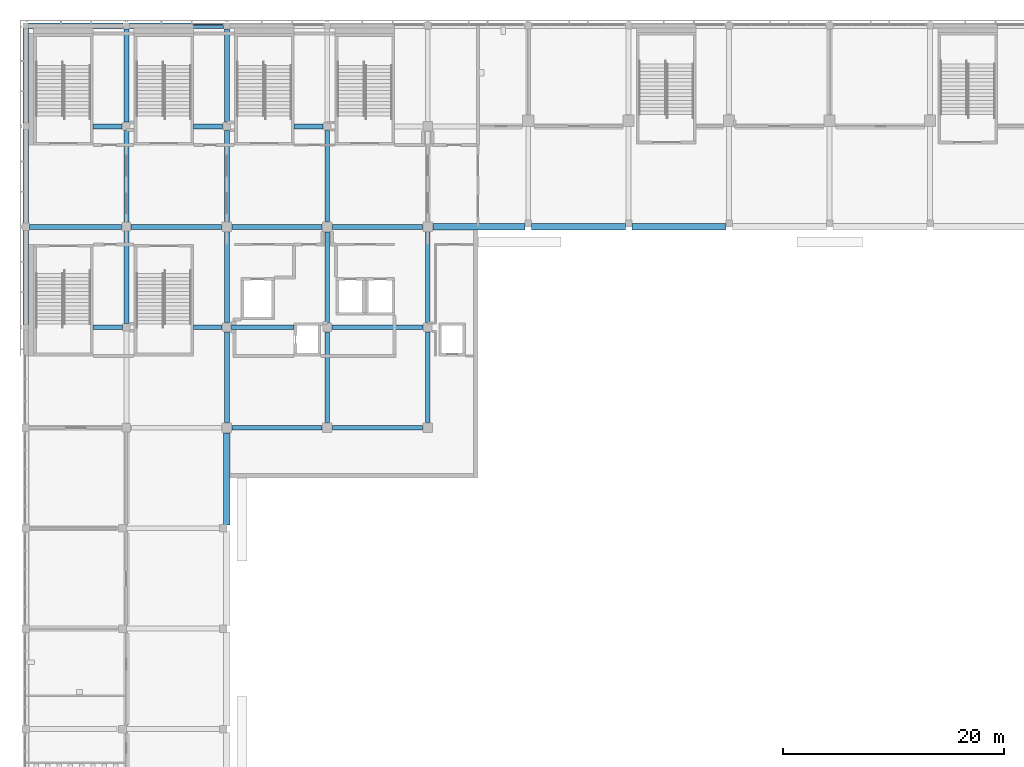
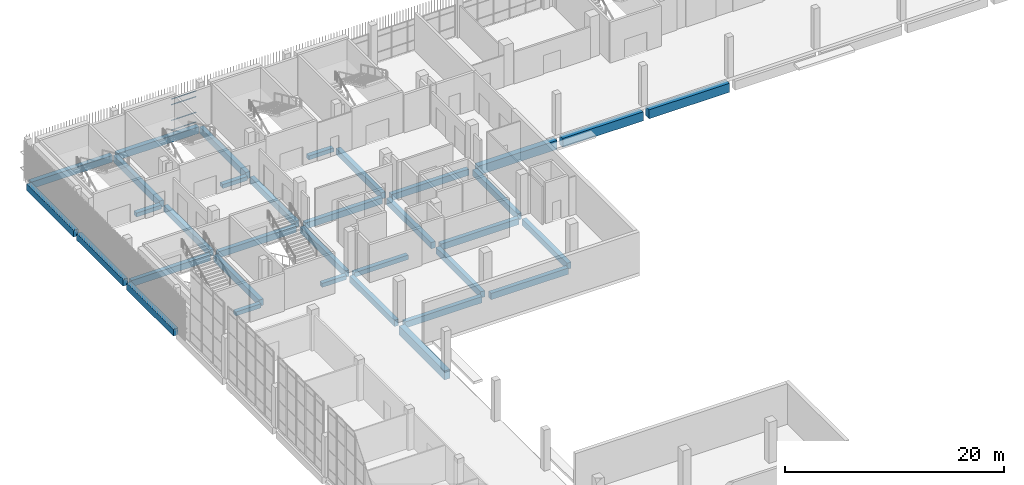
# One storey, part 27 of 126: 34 beams, 4 members, 1 element without a shape of its own.
"""IFC4 building model written with IfcOpenShell, lengths in metres."""

import ifcopenshell
import ifcopenshell.guid

model = None  # the IFC model being written
_history = None  # IfcOwnerHistory: only IFC2X3 demands one
_inside = {}  # id of a spatial element -> (the spatial element, [elements in it])
_under = {}  # id of a project, library or spatial element -> (it, [spatial elements below it])
_declared = {}  # id of a project -> (the project, [libraries it declares])
_typed = {}  # id of a type object -> (the type object, [elements of that type])
_made_of = {}  # id of a material, layer set ... -> (it, [elements and type objects made of it])


def new_model(schema):
    """Start an empty IFC model of exactly this schema.

    Asked for "IFC4X3", IfcOpenShell would pick the latest addendum, in which some entities
    have other attributes; the version numbers below select the first issue.
    IFC2X3 requires an IfcOwnerHistory on every rooted entity: one is made here for all.
    """
    global model, _history
    if schema == "IFC4X3":
        model = ifcopenshell.file(schema_version=(4, 3, 0, 0))
    else:
        model = ifcopenshell.file(schema=schema)
    _inside.clear()
    _under.clear()
    _declared.clear()
    _typed.clear()
    _made_of.clear()
    _history = None
    if model.schema == "IFC2X3":
        org = make("IfcOrganization", Name="unknown")
        user = make(
            "IfcPersonAndOrganization",
            ThePerson=make("IfcPerson", FamilyName="unknown"),
            TheOrganization=org,
        )
        app = make(
            "IfcApplication",
            ApplicationDeveloper=org,
            Version="unknown",
            ApplicationFullName="unknown",
            ApplicationIdentifier="unknown",
        )
        _history = make(
            "IfcOwnerHistory",
            OwningUser=user,
            OwningApplication=app,
            ChangeAction="ADDED",
            CreationDate=0,
        )
    return model


def make(cls, **values):
    """One entity of the class cls with the attributes given. An attribute that is None is left unset."""
    return model.create_entity(
        cls, **{name: value for name, value in values.items() if value is not None}
    )


def rooted(cls, **values):
    """An entity with a GlobalId (a new one), such as an element, a storey or a relation."""
    return make(cls, GlobalId=ifcopenshell.guid.new(), OwnerHistory=_history, **values)


def si_unit(unit_type, name, prefix=None):
    """IfcSIUnit, for example si_unit("LENGTHUNIT", "METRE", prefix="MILLI")."""
    return make("IfcSIUnit", UnitType=unit_type, Prefix=prefix, Name=name)


def assignment(units):
    """IfcUnitAssignment: the units of a project."""
    return None if units is None else make("IfcUnitAssignment", Units=units)


def point(xyz):
    """IfcCartesianPoint."""
    return None if xyz is None else make("IfcCartesianPoint", Coordinates=xyz)


def direction(xyz):
    """IfcDirection."""
    return None if xyz is None else make("IfcDirection", DirectionRatios=xyz)


def frame(location, z_axis=None, x_axis=None):
    """IfcAxis2Placement3D, a coordinate frame: its origin and axes. An axis left out is left unset."""
    return make(
        "IfcAxis2Placement3D",
        Location=point(location),
        Axis=direction(z_axis),
        RefDirection=direction(x_axis),
    )


def frame_2d(location, x_axis=None):
    """IfcAxis2Placement2D, a coordinate frame in the plane: its origin and x axis."""
    return make(
        "IfcAxis2Placement2D", Location=point(location), RefDirection=direction(x_axis)
    )


def origin():
    """The frame at (0, 0, 0) with its axes left unset."""
    return frame((0.0, 0.0, 0.0))


def origin_2d():
    """The frame at (0, 0) in the plane with its x axis left unset."""
    return frame_2d((0.0, 0.0))


def place(relative_to, where):
    """IfcLocalPlacement: puts the frame where relative to a parent placement (None: the world)."""
    return make(
        "IfcLocalPlacement", PlacementRelTo=relative_to, RelativePlacement=where
    )


def context(
    kind, dimensions, precision=None, world=None, true_north=None, identifier=None
):
    """IfcGeometricRepresentationContext, for example the 3D "Model" context."""
    return make(
        "IfcGeometricRepresentationContext",
        ContextIdentifier=identifier,
        ContextType=kind,
        CoordinateSpaceDimension=dimensions,
        Precision=precision,
        WorldCoordinateSystem=world,
        TrueNorth=true_north,
    )


def subcontext(parent, identifier, kind, view, scale=None):
    """IfcGeometricRepresentationSubContext, for example "Body" below "Model"."""
    return make(
        "IfcGeometricRepresentationSubContext",
        ContextIdentifier=identifier,
        ContextType=kind,
        ParentContext=parent,
        TargetScale=scale,
        TargetView=view,
    )


def project(units=None, contexts=None):
    """IfcProject with its units and contexts."""
    return rooted(
        "IfcProject",
        Name="project",
        RepresentationContexts=contexts,
        UnitsInContext=assignment(units),
    )


def spatial(cls, under=None, at=None, **own):
    """A site, building, storey or space (cls), placed at a placement, below another one or the project."""
    s = rooted(cls, ObjectPlacement=at, **own)
    if under is not None:
        _under.setdefault(under.id(), (under, []))[1].append(s)
    return s


def profile(cls, at=None, kind="AREA", **sizes):
    """A parametric profile (cls). Its sizes go by their IFC names, for example OverallWidth=200.0."""
    return make(cls, ProfileType=kind, Position=at, **sizes)


def rectangle(**sizes):
    """IfcRectangleProfileDef."""
    return profile("IfcRectangleProfileDef", **sizes)


def hollow_rectangle(**sizes):
    """IfcRectangleHollowProfileDef."""
    return profile("IfcRectangleHollowProfileDef", **sizes)


def extrude(swept, where, along, depth):
    """IfcExtrudedAreaSolid: the profile swept, set in the frame where, extruded along a direction by depth."""
    return make(
        "IfcExtrudedAreaSolid",
        SweptArea=swept,
        Position=where,
        ExtrudedDirection=direction(along),
        Depth=depth,
    )


def shape(context_of_items, identifier, shape_type, items):
    """IfcShapeRepresentation: the items that make up one representation, for example the "Body"."""
    return make(
        "IfcShapeRepresentation",
        ContextOfItems=context_of_items,
        RepresentationIdentifier=identifier,
        RepresentationType=shape_type,
        Items=items,
    )


def material(Name=None, Category=None):
    """IfcMaterial."""
    return make("IfcMaterial", Name=Name, Category=Category)


def layer(
    of_material, thickness, ventilated=None, Name=None, Category=None, Priority=None
):
    """IfcMaterialLayer: one layer of a wall or slab, of a material (None: an air gap)."""
    return make(
        "IfcMaterialLayer",
        Material=of_material,
        LayerThickness=thickness,
        IsVentilated=ventilated,
        Name=Name,
        Category=Category,
        Priority=Priority,
    )


def layer_set(layers, Name=None):
    """IfcMaterialLayerSet."""
    return make("IfcMaterialLayerSet", MaterialLayers=layers, LayerSetName=Name)


def material_profile(
    of_material, cross_section, Name=None, Category=None, Priority=None
):
    """IfcMaterialProfile: a cross section and its material."""
    return make(
        "IfcMaterialProfile",
        Name=Name,
        Material=of_material,
        Profile=cross_section,
        Priority=Priority,
        Category=Category,
    )


def profile_set(profiles, Name=None, composite=None):
    """IfcMaterialProfileSet."""
    return make(
        "IfcMaterialProfileSet",
        Name=Name,
        MaterialProfiles=profiles,
        CompositeProfile=composite,
    )


def made_of(thing, what):
    """Note that an element or type object is made of a material, layer set ...; save() writes the relation."""
    if what is not None:
        _made_of.setdefault(what.id(), (what, []))[1].append(thing)
    return thing


def type_object(cls, material=None, **own):
    """A type object (cls), such as IfcWallType, which elements share."""
    return made_of(rooted(cls, **own), material)


def element(
    cls,
    number,
    at=None,
    inside=None,
    cuts=None,
    type_object=None,
    material=None,
    context=None,
    identifier="Body",
    shape_type=None,
    held_by="IfcProductDefinitionShape",
    body=None,
    shapes=None,
    **own,
):
    """One element of the class cls, such as IfcWall. Its Tag is "e" and its number.

    at: its placement. inside: the storey or other place that contains it. cuts: it is an
    opening in that element (IfcRelVoidsElement). A single representation is given by context,
    identifier, shape_type and body (its items); several are given by shapes. held_by: the class
    of the entity that holds the representations. save() writes the other relations.
    """
    e = rooted(cls, Tag="e%d" % number, ObjectPlacement=at, **own)
    if body is not None:
        shapes = [shape(context, identifier, shape_type, body)]
    if shapes is not None:
        e.Representation = make(held_by, Representations=shapes)
    if inside is not None:
        _inside.setdefault(inside.id(), (inside, []))[1].append(e)
    if cuts is not None:
        rooted(
            "IfcRelVoidsElement", RelatingBuildingElement=cuts, RelatedOpeningElement=e
        )
    if type_object is not None:
        _typed.setdefault(type_object.id(), (type_object, []))[1].append(e)
    return made_of(e, material)


def aggregate(whole, parts):
    """IfcRelAggregates: a whole, such as a stair, and the parts it consists of."""
    return rooted("IfcRelAggregates", RelatingObject=whole, RelatedObjects=parts)


def save(model, path):
    """Write the relations noted so far, then the file.

    IfcRelAggregates (storeys below a building ...), IfcRelContainedInSpatialStructure (elements
    in a storey), IfcRelDefinesByType, IfcRelAssociatesMaterial and IfcRelDeclares: one each for
    every whole, place, type object, material and project.
    """
    for whole, parts in _under.values():
        aggregate(whole, parts)
    for where, things in _inside.values():
        rooted(
            "IfcRelContainedInSpatialStructure",
            RelatedElements=things,
            RelatingStructure=where,
        )
    for kind, things in _typed.values():
        rooted("IfcRelDefinesByType", RelatedObjects=things, RelatingType=kind)
    for what, things in _made_of.values():
        rooted("IfcRelAssociatesMaterial", RelatedObjects=things, RelatingMaterial=what)
    for by, libraries in _declared.values():
        rooted("IfcRelDeclares", RelatingContext=by, RelatedDefinitions=libraries)
    model.write(path)


model = new_model("IFC4")

# Units and contexts
model_context = context("Model", 3, precision=1e-05, world=origin(), true_north=direction((0.0, 1.0)))
body_context = subcontext(model_context, "Body", "Model", "MODEL_VIEW")
ifc_project = project(units=[si_unit("LENGTHUNIT", "METRE"), si_unit("AREAUNIT", "SQUARE_METRE"), si_unit("VOLUMEUNIT", "CUBIC_METRE"), si_unit("PLANEANGLEUNIT", "RADIAN"), si_unit("MASSUNIT", "GRAM", prefix="KILO")], contexts=[model_context])

# Site, building, storey
site_placement = place(None, origin())
site = spatial("IfcSite", under=ifc_project, at=site_placement, CompositionType="ELEMENT")
building_placement = place(site_placement, origin())
building = spatial("IfcBuilding", under=site, at=building_placement, Name="Shirokan Park Arena", CompositionType="ELEMENT")
storey_placement = place(building_placement, frame((0.0, 0.0, 6.3701171875)))
storey = spatial("IfcBuildingStorey", under=building, at=storey_placement, Name="L01", CompositionType="ELEMENT", Elevation=6.3701171875)

# Beams
ifc_material_1 = material(Name="Concrete C35", Category="concrete")
ifc_material_profile_1 = material_profile(ifc_material_1, rectangle(XDim=0.449951171875, YDim=0.5, at=origin_2d()), Name="450x500")
ifc_profile_set_1 = profile_set([ifc_material_profile_1], Name="Concrete C35")
beam_type_1 = type_object("IfcBeamType", Name="RC girder 450x500", PredefinedType="BEAM", material=ifc_profile_set_1)
beam_1_placement = place(storey_placement, frame((18.625, 81.89990234375, -0.60009765625), z_axis=(1.0, 0.0, 0.0), x_axis=(0.0, 1.0, 0.0)))
element("IfcBeam", 1, at=beam_1_placement, inside=storey, type_object=beam_type_1, Name="Girder 3K-4K L01", PredefinedType="BEAM", context=body_context, shape_type="SweptSolid", body=[
    extrude(rectangle(XDim=0.449951171875, YDim=0.5, at=origin_2d()), origin(), (0.0, 0.0, 1.0), 5.675048828125),
])
ifc_material_profile_2 = material_profile(ifc_material_1, rectangle(XDim=0.449951171875, YDim=0.699951171875, at=origin_2d()), Name="450x700")
ifc_profile_set_2 = profile_set([ifc_material_profile_2], Name="Concrete C35")
beam_type_2 = type_object("IfcBeamType", Name="RC girder 450x700", PredefinedType="BEAM", material=ifc_profile_set_2)
beam_2_placement = place(storey_placement, frame((0.3251953125, 91.0, -0.7001953125), z_axis=(1.0, 0.0, 0.0), x_axis=(0.0, 1.0, 0.0)))
element("IfcBeam", 2, at=beam_2_placement, inside=storey, type_object=beam_type_2, Name="Girder 1L-2L L01", PredefinedType="BEAM", context=body_context, shape_type="SweptSolid", body=[
    extrude(rectangle(XDim=0.449951171875, YDim=0.699951171875, at=origin_2d()), origin(), (0.0, 0.0, 1.0), 8.349609375),
])
beam_3_placement = place(storey_placement, frame((9.525146484375, 91.0, -0.7001953125), z_axis=(1.0, 0.0, 0.0), x_axis=(0.0, 1.0, 0.0)))
element("IfcBeam", 3, at=beam_3_placement, inside=storey, type_object=beam_type_2, Name="Girder 2L-3L L01", PredefinedType="BEAM", context=body_context, shape_type="SweptSolid", body=[
    extrude(rectangle(XDim=0.449951171875, YDim=0.699951171875, at=origin_2d()), origin(), (0.0, 0.0, 1.0), 8.19970703125),
])
for number, where, z_axis, x_axis, name in (
    (4, (18.675048828125, 72.800048828125, -0.7001953125), (1.0, 0.0, 0.0), (0.0, 1.0, 0.0), "Girder 3J-4J L01"),
    (5, (18.675048828125, 91.0, -0.7001953125), (1.0, 0.0, 0.0), (0.0, 1.0, 0.0), "Girder 3L-4L L01"),
):
    element("IfcBeam", number, at=place(storey_placement, frame(where, z_axis=z_axis, x_axis=x_axis)), inside=storey, type_object=beam_type_2, Name=name, PredefinedType="BEAM", context=body_context, shape_type="SweptSolid", body=[
        extrude(rectangle(XDim=0.449951171875, YDim=0.699951171875, at=origin_2d()), origin(), (0.0, 0.0, 1.0), 8.14990234375),
    ])
beam_4_placement = place(storey_placement, frame((27.775146484375, 72.800048828125, -0.7001953125), z_axis=(1.0, 0.0, 0.0), x_axis=(0.0, 1.0, 0.0)))
element("IfcBeam", 6, at=beam_4_placement, inside=storey, type_object=beam_type_2, Name="Girder 4J-5J L01", PredefinedType="BEAM", context=body_context, shape_type="SweptSolid", body=[
    extrude(rectangle(XDim=0.449951171875, YDim=0.699951171875, at=origin_2d()), origin(), (0.0, 0.0, 1.0), 8.149658203125),
])
beam_5_placement = place(storey_placement, frame((27.72509765625, 81.89990234375, -0.7001953125), z_axis=(1.0, 0.0, 0.0), x_axis=(0.0, 1.0, 0.0)))
element("IfcBeam", 7, at=beam_5_placement, inside=storey, type_object=beam_type_2, Name="Girder 4K-5K L01", PredefinedType="BEAM", context=body_context, shape_type="SweptSolid", body=[
    extrude(rectangle(XDim=0.449951171875, YDim=0.699951171875, at=origin_2d()), origin(), (0.0, 0.0, 1.0), 8.249755859375),
])
beam_6_placement = place(storey_placement, frame((27.775146484375, 91.0, -0.7001953125), z_axis=(1.0, 0.0, 0.0), x_axis=(0.0, 1.0, 0.0)))
element("IfcBeam", 8, at=beam_6_placement, inside=storey, type_object=beam_type_2, Name="Girder 4L-5L L01", PredefinedType="BEAM", context=body_context, shape_type="SweptSolid", body=[
    extrude(rectangle(XDim=0.449951171875, YDim=0.699951171875, at=origin_2d()), origin(), (0.0, 0.0, 1.0), 8.149658203125),
])
beam_7_placement = place(storey_placement, frame((9.10009765625, 82.25, -0.7001953125), z_axis=(0.0, 1.0, 0.0), x_axis=(-1.0, 0.0, 0.0)))
element("IfcBeam", 9, at=beam_7_placement, inside=storey, type_object=beam_type_2, Name="Girder 2K-2L L01", PredefinedType="BEAM", context=body_context, shape_type="SweptSolid", body=[
    extrude(rectangle(XDim=0.449951171875, YDim=0.699951171875, at=origin_2d()), origin(), (0.0, 0.0, 1.0), 8.324951171875),
])
beam_8_placement = place(storey_placement, frame((9.10009765625, 91.425048828125, -0.7001953125), z_axis=(0.0, 1.0, 0.0), x_axis=(-1.0, 0.0, 0.0)))
element("IfcBeam", 10, at=beam_8_placement, inside=storey, type_object=beam_type_2, Name="Girder 2L-2M L01", PredefinedType="BEAM", context=body_context, shape_type="SweptSolid", body=[
    extrude(rectangle(XDim=0.449951171875, YDim=0.699951171875, at=origin_2d()), origin(), (0.0, 0.0, 1.0), 8.2998046875),
])
for number, where, z_axis, x_axis, name in (
    (11, (18.199951171875, 73.275146484375, -0.7001953125), (0.0, 1.0, 0.0), (-1.0, 0.0, 0.0), "Girder 3J-3K L01"),
    (12, (18.199951171875, 82.3251953125, -0.7001953125), (0.0, 1.0, 0.0), (-1.0, 0.0, 0.0), "Girder 3K-3L L01"),
):
    element("IfcBeam", number, at=place(storey_placement, frame(where, z_axis=z_axis, x_axis=x_axis)), inside=storey, type_object=beam_type_2, Name=name, PredefinedType="BEAM", context=body_context, shape_type="SweptSolid", body=[
        extrude(rectangle(XDim=0.449951171875, YDim=0.699951171875, at=origin_2d()), origin(), (0.0, 0.0, 1.0), 8.19970703125),
    ])
beam_9_placement = place(storey_placement, frame((18.199951171875, 91.47509765625, -0.7001953125), z_axis=(0.0, 1.0, 0.0), x_axis=(-1.0, 0.0, 0.0)))
element("IfcBeam", 13, at=beam_9_placement, inside=storey, type_object=beam_type_2, Name="Girder 3L-3M L01", PredefinedType="BEAM", context=body_context, shape_type="SweptSolid", body=[
    extrude(rectangle(XDim=0.449951171875, YDim=0.699951171875, at=origin_2d()), origin(), (0.0, 0.0, 1.0), 8.249755859375),
])
for number, where, z_axis, x_axis, name in (
    (14, (27.300048828125, 73.275146484375, -0.7001953125), (0.0, 1.0, 0.0), (-1.0, 0.0, 0.0), "Girder 4J-4K L01"),
    (15, (27.300048828125, 82.3251953125, -0.7001953125), (0.0, 1.0, 0.0), (-1.0, 0.0, 0.0), "Girder 4K-4L L01"),
):
    element("IfcBeam", number, at=place(storey_placement, frame(where, z_axis=z_axis, x_axis=x_axis)), inside=storey, type_object=beam_type_2, Name=name, PredefinedType="BEAM", context=body_context, shape_type="SweptSolid", body=[
        extrude(rectangle(XDim=0.449951171875, YDim=0.699951171875, at=origin_2d()), origin(), (0.0, 0.0, 1.0), 8.19970703125),
    ])
beam_10_placement = place(storey_placement, frame((27.300048828125, 91.47509765625, -0.7001953125), z_axis=(0.0, 1.0, 0.0), x_axis=(-1.0, 0.0, 0.0)))
element("IfcBeam", 16, at=beam_10_placement, inside=storey, type_object=beam_type_2, Name="Girder 4L-4M L01", PredefinedType="BEAM", context=body_context, shape_type="SweptSolid", body=[
    extrude(rectangle(XDim=0.449951171875, YDim=0.699951171875, at=origin_2d()), origin(), (0.0, 0.0, 1.0), 8.249755859375),
])
for number, where, z_axis, x_axis, name in (
    (17, (36.39990234375, 73.275146484375, -0.7001953125), (0.0, 1.0, 0.0), (-1.0, 0.0, 0.0), "Girder 5J-5K L01"),
    (18, (36.39990234375, 82.3251953125, -0.7001953125), (0.0, 1.0, 0.0), (-1.0, 0.0, 0.0), "Girder 5K-5L L01"),
):
    element("IfcBeam", number, at=place(storey_placement, frame(where, z_axis=z_axis, x_axis=x_axis)), inside=storey, type_object=beam_type_2, Name=name, PredefinedType="BEAM", context=body_context, shape_type="SweptSolid", body=[
        extrude(rectangle(XDim=0.449951171875, YDim=0.699951171875, at=origin_2d()), origin(), (0.0, 0.0, 1.0), 8.19970703125),
    ])
ifc_material_profile_3 = material_profile(ifc_material_1, rectangle(XDim=0.449951171875, YDim=0.75, at=origin_2d()), Name="450x750")
ifc_profile_set_3 = profile_set([ifc_material_profile_3], Name="Concrete C35")
beam_type_3 = type_object("IfcBeamType", Name="RC girder 450x750", PredefinedType="BEAM", material=ifc_profile_set_3)
for number, where, z_axis, x_axis, name in (
    (19, (9.10009765625, 100.47509765625, -0.72509765625), (0.0, 1.0, 0.0), (-1.0, 0.0, 0.0), "Girder 2M-2N L01"),
    (20, (18.199951171875, 100.47509765625, -0.72509765625), (0.0, 1.0, 0.0), (-1.0, 0.0, 0.0), "Girder 3M-3N L01"),
):
    element("IfcBeam", number, at=place(storey_placement, frame(where, z_axis=z_axis, x_axis=x_axis)), inside=storey, type_object=beam_type_3, Name=name, PredefinedType="BEAM", context=body_context, shape_type="SweptSolid", body=[
        extrude(rectangle(XDim=0.449951171875, YDim=0.75, at=origin_2d()), origin(), (0.0, 0.0, 1.0), 8.44970703125),
    ])
ifc_material_profile_4 = material_profile(ifc_material_1, rectangle(XDim=0.5, YDim=0.75, at=origin_2d()), Name="500x750")
ifc_profile_set_4 = profile_set([ifc_material_profile_4], Name="Concrete C35")
beam_type_4 = type_object("IfcBeamType", Name="RC girder 500x750", PredefinedType="BEAM", material=ifc_profile_set_4)
beam_11_placement = place(storey_placement, frame((0.25, 109.199951171875, -0.72509765625), z_axis=(1.0, 0.0, 0.0), x_axis=(0.0, 1.0, 0.0)))
element("IfcBeam", 21, at=beam_11_placement, inside=storey, type_object=beam_type_4, Name="Girder 1N-2N L01", PredefinedType="BEAM", context=body_context, shape_type="SweptSolid", body=[
    extrude(rectangle(XDim=0.5, YDim=0.75, at=origin_2d()), origin(), (0.0, 0.0, 1.0), 8.574951171875),
])
beam_12_placement = place(storey_placement, frame((9.375, 109.199951171875, -0.72509765625), z_axis=(1.0, 0.0, 0.0), x_axis=(0.0, 1.0, 0.0)))
element("IfcBeam", 22, at=beam_12_placement, inside=storey, type_object=beam_type_4, Name="Girder 2N-3N L01", PredefinedType="BEAM", context=body_context, shape_type="SweptSolid", body=[
    extrude(rectangle(XDim=0.5, YDim=0.75, at=origin_2d()), origin(), (0.0, 0.0, 1.0), 8.5498046875),
])
beam_13_placement = place(storey_placement, frame((0.0, 82.150146484375, -0.72509765625), z_axis=(0.0, 1.0, 0.0), x_axis=(-1.0, 0.0, 0.0)))
element("IfcBeam", 23, at=beam_13_placement, inside=storey, type_object=beam_type_4, Name="Girder 1K-1L L01", PredefinedType="BEAM", context=body_context, shape_type="SweptSolid", body=[
    extrude(rectangle(XDim=0.5, YDim=0.75, at=origin_2d()), origin(), (0.0, 0.0, 1.0), 8.524658203125),
])
beam_14_placement = place(storey_placement, frame((0.0, 91.3251953125, -0.72509765625), z_axis=(0.0, 1.0, 0.0), x_axis=(-1.0, 0.0, 0.0)))
element("IfcBeam", 24, at=beam_14_placement, inside=storey, type_object=beam_type_4, Name="Girder 1L-1M L01", PredefinedType="BEAM", context=body_context, shape_type="SweptSolid", body=[
    extrude(rectangle(XDim=0.5, YDim=0.75, at=origin_2d()), origin(), (0.0, 0.0, 1.0), 8.499755859375),
])
beam_15_placement = place(storey_placement, frame((0.0, 100.375, -0.72509765625), z_axis=(0.0, 1.0, 0.0), x_axis=(-1.0, 0.0, 0.0)))
element("IfcBeam", 25, at=beam_15_placement, inside=storey, type_object=beam_type_4, Name="Girder 1M-1N L01", PredefinedType="BEAM", context=body_context, shape_type="SweptSolid", body=[
    extrude(rectangle(XDim=0.5, YDim=0.75, at=origin_2d()), origin(), (0.0, 0.0, 1.0), 8.574951171875),
])
ifc_material_profile_5 = material_profile(ifc_material_1, rectangle(XDim=0.60009765625, YDim=1.0, at=origin_2d()), Name="600x1000")
ifc_profile_set_5 = profile_set([ifc_material_profile_5], Name="Concrete C35")
beam_type_5 = type_object("IfcBeamType", Name="RC girder 600x1000", PredefinedType="BEAM", material=ifc_profile_set_5)
beam_16_placement = place(storey_placement, frame((36.875, 91.0, -0.85009765625), z_axis=(1.0, 0.0, 0.0), x_axis=(0.0, 1.0, 0.0)))
element("IfcBeam", 26, at=beam_16_placement, inside=storey, type_object=beam_type_5, Name="Girder 5L-6L L01", PredefinedType="BEAM", context=body_context, shape_type="SweptSolid", body=[
    extrude(rectangle(XDim=0.60009765625, YDim=1.0, at=origin_2d()), origin(), (0.0, 0.0, 1.0), 8.324951171875),
])
for number, where, z_axis, x_axis, name in (
    (27, (45.800048828125, 91.0, -0.85009765625), (1.0, 0.0, 0.0), (0.0, 1.0, 0.0), "Girder 6L-7L L01"),
    (28, (54.900146484375, 91.0, -0.85009765625), (1.0, 0.0, 0.0), (0.0, 1.0, 0.0), "Girder 7L-8L L01"),
):
    element("IfcBeam", number, at=place(storey_placement, frame(where, z_axis=z_axis, x_axis=x_axis)), inside=storey, type_object=beam_type_5, Name=name, PredefinedType="BEAM", context=body_context, shape_type="SweptSolid", body=[
        extrude(rectangle(XDim=0.60009765625, YDim=1.0, at=origin_2d()), origin(), (0.0, 0.0, 1.0), 8.499755859375),
    ])
beam_17_placement = place(storey_placement, frame((18.199951171875, 64.0, -0.85009765625), z_axis=(0.0, 1.0, 0.0), x_axis=(-1.0, 0.0, 0.0)))
element("IfcBeam", 29, at=beam_17_placement, inside=storey, type_object=beam_type_5, Name="Girder 3H-3J L01", PredefinedType="BEAM", context=body_context, shape_type="SweptSolid", body=[
    extrude(rectangle(XDim=0.60009765625, YDim=1.0, at=origin_2d()), origin(), (0.0, 0.0, 1.0), 8.324951171875),
])
ifc_material_profile_6 = material_profile(ifc_material_1, rectangle(XDim=0.449951171875, YDim=0.449951171875, at=origin_2d()), Name="450x450")
ifc_profile_set_6 = profile_set([ifc_material_profile_6], Name="Concrete C35")
beam_type_6 = type_object("IfcBeamType", Name="RC trimmer 450x450", PredefinedType="BEAM", material=ifc_profile_set_6)
beam_18_placement = place(storey_placement, frame((6.10009765625, 81.89990234375, -0.5751953125), z_axis=(1.0, 0.0, 0.0), x_axis=(0.0, 1.0, 0.0)))
element("IfcBeam", 30, at=beam_18_placement, inside=storey, type_object=beam_type_6, Name="Girder 1K-2K L01", PredefinedType="BEAM", context=body_context, shape_type="SweptSolid", body=[
    extrude(rectangle(XDim=0.449951171875, YDim=0.449951171875, at=origin_2d()), origin(), (0.0, 0.0, 1.0), 2.64990234375),
])
beam_19_placement = place(storey_placement, frame((6.10009765625, 100.10009765625, -0.5751953125), z_axis=(1.0, 0.0, 0.0), x_axis=(0.0, 1.0, 0.0)))
element("IfcBeam", 31, at=beam_19_placement, inside=storey, type_object=beam_type_6, Name="Girder 1M-2M L01", PredefinedType="BEAM", context=body_context, shape_type="SweptSolid", body=[
    extrude(rectangle(XDim=0.449951171875, YDim=0.449951171875, at=origin_2d()), origin(), (0.0, 0.0, 1.0), 2.624755859375),
])
beam_20_placement = place(storey_placement, frame((15.199951171875, 81.89990234375, -0.5751953125), z_axis=(1.0, 0.0, 0.0), x_axis=(0.0, 1.0, 0.0)))
element("IfcBeam", 32, at=beam_20_placement, inside=storey, type_object=beam_type_6, Name="Girder 2K-3K L01", PredefinedType="BEAM", context=body_context, shape_type="SweptSolid", body=[
    extrude(rectangle(XDim=0.449951171875, YDim=0.449951171875, at=origin_2d()), origin(), (0.0, 0.0, 1.0), 2.574951171875),
])
beam_21_placement = place(storey_placement, frame((15.199951171875, 100.10009765625, -0.5751953125), z_axis=(1.0, 0.0, 0.0), x_axis=(0.0, 1.0, 0.0)))
element("IfcBeam", 33, at=beam_21_placement, inside=storey, type_object=beam_type_6, Name="Girder 2M-3M L01", PredefinedType="BEAM", context=body_context, shape_type="SweptSolid", body=[
    extrude(rectangle(XDim=0.449951171875, YDim=0.449951171875, at=origin_2d()), origin(), (0.0, 0.0, 1.0), 2.625),
])
beam_22_placement = place(storey_placement, frame((24.300048828125, 100.10009765625, -0.5751953125), z_axis=(1.0, 0.0, 0.0), x_axis=(0.0, 1.0, 0.0)))
element("IfcBeam", 34, at=beam_22_placement, inside=storey, type_object=beam_type_6, Name="Girder 3M-4M L01", PredefinedType="BEAM", context=body_context, shape_type="SweptSolid", body=[
    extrude(rectangle(XDim=0.449951171875, YDim=0.449951171875, at=origin_2d()), origin(), (0.0, 0.0, 1.0), 2.624755859375),
])

# Curtain wall, members
ifc_material_2 = material(Name="Steel and glass curtain wall", Category="steel")
ifc_layer = layer(ifc_material_2, 0.1201171875)
ifc_layer_set = layer_set([ifc_layer], Name="Steel and glass curtain wall 120 mm")
curtain_wall_type = type_object("IfcCurtainWallType", Name="Curtain wall corner block side bay 120", PredefinedType="NOTDEFINED", material=ifc_layer_set)
curtain_wall_placement = place(storey_placement, origin())
curtain_wall = element("IfcCurtainWall", 35, at=curtain_wall_placement, inside=storey, type_object=curtain_wall_type, Name="Curtain wall north bay 15 L01", PredefinedType="NOTDEFINED")
ifc_material_3 = material(Name="Steel S355", Category="steel")
ifc_material_profile_7 = material_profile(ifc_material_3, hollow_rectangle(XDim=0.06005859375, YDim=0.0400390625, WallThickness=0.00390625, at=origin_2d()), Name="RHS 60x40x4")
ifc_profile_set_7 = profile_set([ifc_material_profile_7], Name="Steel S355")
member_type = type_object("IfcMemberType", Name="Transom RHS 60x40x4", PredefinedType="MULLION", material=ifc_profile_set_7)
member_1_placement = place(storey_placement, frame((17.824951171875, 109.2900390625, 0.019775390625), z_axis=(-1.0, 0.0, 0.0), x_axis=(0.0, -1.0, 0.0)))
member_1 = element("IfcMember", 36, at=member_1_placement, type_object=member_type, Name="CW3 transom 1.1", PredefinedType="MULLION", context=body_context, shape_type="SweptSolid", body=[
    extrude(hollow_rectangle(XDim=0.06005859375, YDim=0.0400390625, WallThickness=0.00390625, at=origin_2d()), origin(), (0.0, 0.0, 1.0), 2.625),
])
member_2_placement = place(storey_placement, frame((17.824951171875, 109.2900390625, 1.099853515625), z_axis=(-1.0, 0.0, 0.0), x_axis=(0.0, -1.0, 0.0)))
member_2 = element("IfcMember", 37, at=member_2_placement, type_object=member_type, Name="CW3 transom 1.2", PredefinedType="MULLION", context=body_context, shape_type="SweptSolid", body=[
    extrude(hollow_rectangle(XDim=0.06005859375, YDim=0.0400390625, WallThickness=0.00390625, at=origin_2d()), origin(), (0.0, 0.0, 1.0), 2.625),
])
member_3_placement = place(storey_placement, frame((17.824951171875, 109.2900390625, 2.849853515625), z_axis=(-1.0, 0.0, 0.0), x_axis=(0.0, -1.0, 0.0)))
member_3 = element("IfcMember", 38, at=member_3_placement, type_object=member_type, Name="CW3 transom 1.3", PredefinedType="MULLION", context=body_context, shape_type="SweptSolid", body=[
    extrude(hollow_rectangle(XDim=0.06005859375, YDim=0.0400390625, WallThickness=0.00390625, at=origin_2d()), origin(), (0.0, 0.0, 1.0), 2.625),
])
member_4_placement = place(storey_placement, frame((17.824951171875, 109.2900390625, 3.47998046875), z_axis=(-1.0, 0.0, 0.0), x_axis=(0.0, -1.0, 0.0)))
member_4 = element("IfcMember", 39, at=member_4_placement, type_object=member_type, Name="CW3 transom 1.4", PredefinedType="MULLION", context=body_context, shape_type="SweptSolid", body=[
    extrude(hollow_rectangle(XDim=0.06005859375, YDim=0.0400390625, WallThickness=0.00390625, at=origin_2d()), origin(), (0.0, 0.0, 1.0), 2.625),
])
aggregate(curtain_wall, [member_1, member_2, member_3, member_4])

save(model, "model.ifc")
